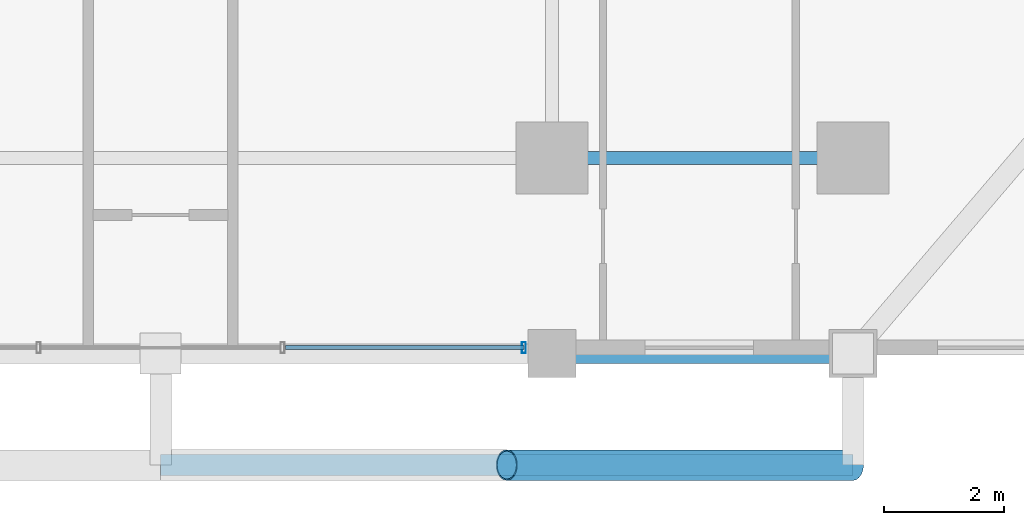
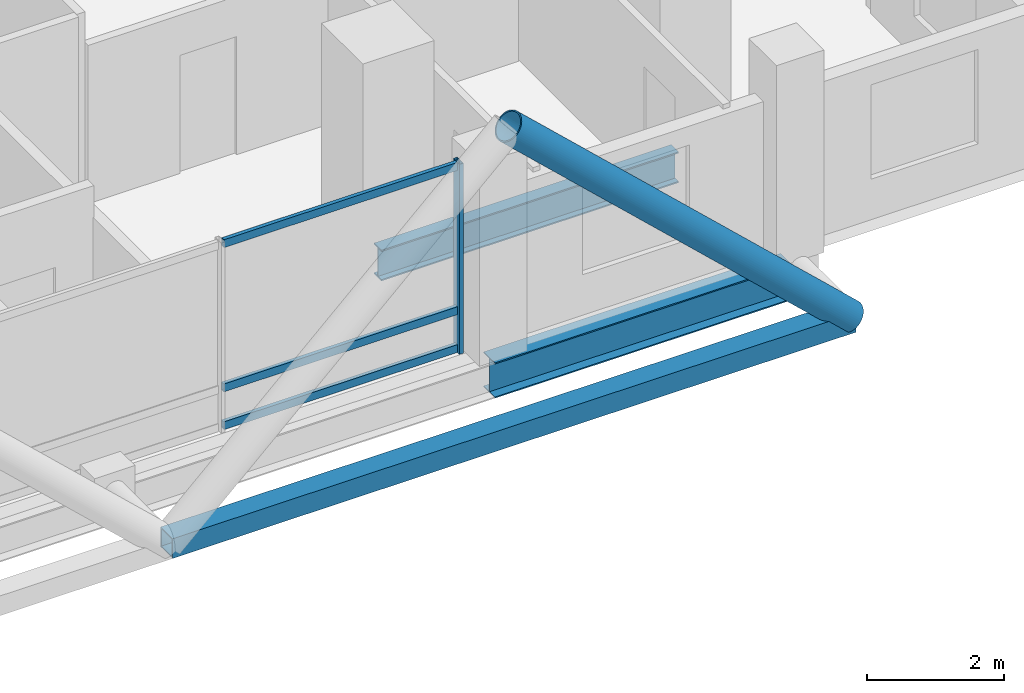
# One storey, part 3 of 25: 6 members, 2 beams, 1 element without a shape of its own.
"""IFC4 building model written with IfcOpenShell, lengths in metres."""

from ifc_helpers import new_model, si_unit, direction, frame, origin, origin_2d, place, context, subcontext, project, spatial, hollow_rectangle, hollow_circle, i_section, extrude, material, layer, layer_set, material_profile, profile_set, type_object, element, aggregate, save


model = new_model("IFC4")

# Units and contexts
model_context = context("Model", 3, precision=1e-05, world=origin(), true_north=direction((0.0, 1.0)))
body_context = subcontext(model_context, "Body", "Model", "MODEL_VIEW")
ifc_project = project(units=[si_unit("LENGTHUNIT", "METRE"), si_unit("AREAUNIT", "SQUARE_METRE"), si_unit("VOLUMEUNIT", "CUBIC_METRE"), si_unit("PLANEANGLEUNIT", "RADIAN"), si_unit("MASSUNIT", "GRAM", prefix="KILO")], contexts=[model_context])

# Site, building, storey
site_placement = place(None, origin())
site = spatial("IfcSite", under=ifc_project, at=site_placement, CompositionType="ELEMENT")
building_placement = place(site_placement, origin())
building = spatial("IfcBuilding", under=site, at=building_placement, Name="Barlavira Tower and Art Museum", CompositionType="ELEMENT")
storey_placement = place(building_placement, frame((0.0, 0.0, 144.0)))
storey = spatial("IfcBuildingStorey", under=building, at=storey_placement, Name="L36", CompositionType="ELEMENT", Elevation=144.0)

# Curtain wall, members
ifc_material_1 = material(Name="Low-iron coastal laminated glass", Category="glass")
ifc_layer = layer(ifc_material_1, 0.18994140625, Name="Low-iron coastal laminated glass")
ifc_layer_set = layer_set([ifc_layer], Name="Low-iron coastal laminated glass")
curtain_wall_type = type_object("IfcCurtainWallType", Name="Pale-Metal Unitised Curtain Wall Zone 2", PredefinedType="NOTDEFINED", material=ifc_layer_set)
curtain_wall_placement = place(storey_placement, origin())
curtain_wall = element("IfcCurtainWall", 1, at=curtain_wall_placement, inside=storey, type_object=curtain_wall_type, Name="L36 Curtain Wall CW2-L36-S-B3", PredefinedType="NOTDEFINED")
ifc_material_2 = material(Name="Pale anodised aluminium", Category="aluminium")
ifc_material_profile_1 = material_profile(ifc_material_2, hollow_rectangle(XDim=0.06494140625, YDim=0.179931640625, WallThickness=0.00390625, at=origin_2d()), Name="ALU-MULL 65x180x4")
ifc_profile_set_1 = profile_set([ifc_material_profile_1], Name="Pale anodised aluminium")
member_type_1 = type_object("IfcMemberType", Name="Curtain Wall Pale-Metal Mullion 65x180", PredefinedType="MULLION", material=ifc_profile_set_1)
member_1_placement = place(storey_placement, frame((6.034912109375, -23.14990234375, 0.0), z_axis=(0.0, 0.0, 1.0), x_axis=(1.0, 0.0, 0.0)))
member_1 = element("IfcMember", 2, at=member_1_placement, type_object=member_type_1, Name="CW2-L36-S-B3 Mullion 3", PredefinedType="MULLION", context=body_context, shape_type="SweptSolid", body=[
    extrude(hollow_rectangle(XDim=0.06494140625, YDim=0.179931640625, WallThickness=0.00390625, at=origin_2d()), origin(), (0.0, 0.0, 1.0), 3.3798828125),
])
ifc_material_profile_2 = material_profile(ifc_material_2, hollow_rectangle(XDim=0.06494140625, YDim=0.139892578125, WallThickness=0.00390625, at=origin_2d()), Name="ALU-TRAN 65x140x4")
ifc_profile_set_2 = profile_set([ifc_material_profile_2], Name="Pale anodised aluminium")
member_type_2 = type_object("IfcMemberType", Name="Curtain Wall Pale-Metal Transom 65x140", PredefinedType="USERDEFINED", material=ifc_profile_set_2)
member_2_placement = place(storey_placement, frame((2.07177734375, -23.14990234375, 0.070068359375), z_axis=(1.0, 0.0, 0.0), x_axis=(0.0, 1.0, 0.0)))
member_2 = element("IfcMember", 3, at=member_2_placement, type_object=member_type_2, Name="CW2-L36-S-B3 Transom 2.1", ObjectType="TRANSOM", PredefinedType="USERDEFINED", context=body_context, shape_type="SweptSolid", body=[
    extrude(hollow_rectangle(XDim=0.06494140625, YDim=0.139892578125, WallThickness=0.00390625, at=origin_2d()), origin(), (0.0, 0.0, 1.0), 3.963134765625),
])
member_3_placement = place(storey_placement, frame((2.07177734375, -23.14990234375, 0.743896484375), z_axis=(1.0, 0.0, 0.0), x_axis=(0.0, 1.0, 0.0)))
member_3 = element("IfcMember", 4, at=member_3_placement, type_object=member_type_2, Name="CW2-L36-S-B3 Transom 2.2", ObjectType="TRANSOM", PredefinedType="USERDEFINED", context=body_context, shape_type="SweptSolid", body=[
    extrude(hollow_rectangle(XDim=0.06494140625, YDim=0.139892578125, WallThickness=0.00390625, at=origin_2d()), origin(), (0.0, 0.0, 1.0), 3.963134765625),
])
member_4_placement = place(storey_placement, frame((2.07177734375, -23.14990234375, 3.31005859375), z_axis=(1.0, 0.0, 0.0), x_axis=(0.0, 1.0, 0.0)))
member_4 = element("IfcMember", 5, at=member_4_placement, type_object=member_type_2, Name="CW2-L36-S-B3 Transom 2.3", ObjectType="TRANSOM", PredefinedType="USERDEFINED", context=body_context, shape_type="SweptSolid", body=[
    extrude(hollow_rectangle(XDim=0.06494140625, YDim=0.139892578125, WallThickness=0.00390625, at=origin_2d()), origin(), (0.0, 0.0, 1.0), 3.963134765625),
])
aggregate(curtain_wall, [member_1, member_2, member_3, member_4])

# Members
ifc_material_3 = material(Name="Steel S355", Category="steel")
ifc_material_profile_3 = material_profile(ifc_material_3, hollow_circle(Radius=0.25390625, WallThickness=0.022216796875, at=origin_2d()), Name="CHS 508.0x22.2")
ifc_profile_set_3 = profile_set([ifc_material_profile_3], Name="Steel S355")
member_type_3 = type_object("IfcMemberType", Name="Pale-Metal Exoskeleton Diagrid Tube CHS 508x22 Steel S355", PredefinedType="BRACE", material=ifc_profile_set_3)
member_5_placement = place(storey_placement, frame((11.5, -25.10009765625, -0.1201171875), z_axis=(-0.728934650808, 0.0, 0.684583285548), x_axis=(0.0, -1.0, 0.0)))
element("IfcMember", 6, at=member_5_placement, inside=storey, type_object=member_type_3, Name="L36 Exoskeleton Diagrid Tube S", PredefinedType="BRACE", context=body_context, shape_type="SweptSolid", body=[
    extrude(hollow_circle(Radius=0.25390625, WallThickness=0.022216796875, at=origin_2d()), origin(), (0.0, 0.0, 1.0), 7.88818359375),
])
ifc_material_profile_4 = material_profile(ifc_material_3, hollow_rectangle(XDim=0.35009765625, YDim=0.35009765625, WallThickness=0.02001953125, at=origin_2d()), Name="SHS 350x350x20.0")
ifc_profile_set_4 = profile_set([ifc_material_profile_4], Name="Steel S355")
member_type_4 = type_object("IfcMemberType", Name="Pale-Metal Exoskeleton Ring Strut SHS 350x350x20 Steel S355", PredefinedType="STRUT", material=ifc_profile_set_4)
member_6_placement = place(storey_placement, frame((0.0, -25.10009765625, -0.1201171875), z_axis=(1.0, 0.0, 0.0), x_axis=(0.0, 1.0, 0.0)))
element("IfcMember", 7, at=member_6_placement, inside=storey, type_object=member_type_4, Name="L36 Exoskeleton Ring Strut S", PredefinedType="STRUT", context=body_context, shape_type="SweptSolid", body=[
    extrude(hollow_rectangle(XDim=0.35009765625, YDim=0.35009765625, WallThickness=0.02001953125, at=origin_2d()), origin(), (0.0, 0.0, 1.0), 11.5),
])

# Beams
ifc_material_profile_5 = material_profile(ifc_material_3, i_section(OverallWidth=0.327880859375, OverallDepth=0.62890625, WebThickness=0.013916015625, FlangeThickness=0.021484375, at=origin_2d()), Name="W610x174.0")
ifc_profile_set_5 = profile_set([ifc_material_profile_5], Name="Steel S355")
beam_type_1 = type_object("IfcBeamType", Name="Perimeter Spandrel Edge Beam W610x174 Steel S355", PredefinedType="SPANDREL", material=ifc_profile_set_5)
beam_1_placement = place(storey_placement, frame((6.5, -23.25, -0.534423828125), z_axis=(1.0, 0.0, 0.0), x_axis=(0.0, 1.0, 0.0)))
element("IfcBeam", 8, at=beam_1_placement, inside=storey, type_object=beam_type_1, Name="L36 Spandrel 3", PredefinedType="SPANDREL", context=body_context, shape_type="SweptSolid", body=[
    extrude(i_section(OverallWidth=0.327880859375, OverallDepth=0.62890625, WebThickness=0.013916015625, FlangeThickness=0.021484375, at=origin_2d()), origin(), (0.0, 0.0, 1.0), 5.0),
])
ifc_material_profile_6 = material_profile(ifc_material_3, i_section(OverallWidth=0.214111328125, OverallDepth=0.549072265625, WebThickness=0.0146484375, FlangeThickness=0.023681640625, at=origin_2d()), Name="W530x138.0")
ifc_profile_set_6 = profile_set([ifc_material_profile_6], Name="Steel S355")
beam_type_2 = type_object("IfcBeamType", Name="Zone 1 Primary Floor Girder W530x138 Steel S355", PredefinedType="BEAM", material=ifc_profile_set_6)
beam_2_placement = place(storey_placement, frame((6.5, -20.0, -0.494384765625), z_axis=(1.0, 0.0, 0.0), x_axis=(0.0, 1.0, 0.0)))
element("IfcBeam", 9, at=beam_2_placement, inside=storey, type_object=beam_type_2, Name="L36 Girder M-S3", PredefinedType="BEAM", context=body_context, shape_type="SweptSolid", body=[
    extrude(i_section(OverallWidth=0.214111328125, OverallDepth=0.549072265625, WebThickness=0.0146484375, FlangeThickness=0.023681640625, at=origin_2d()), origin(), (0.0, 0.0, 1.0), 5.0),
])

save(model, "model.ifc")
